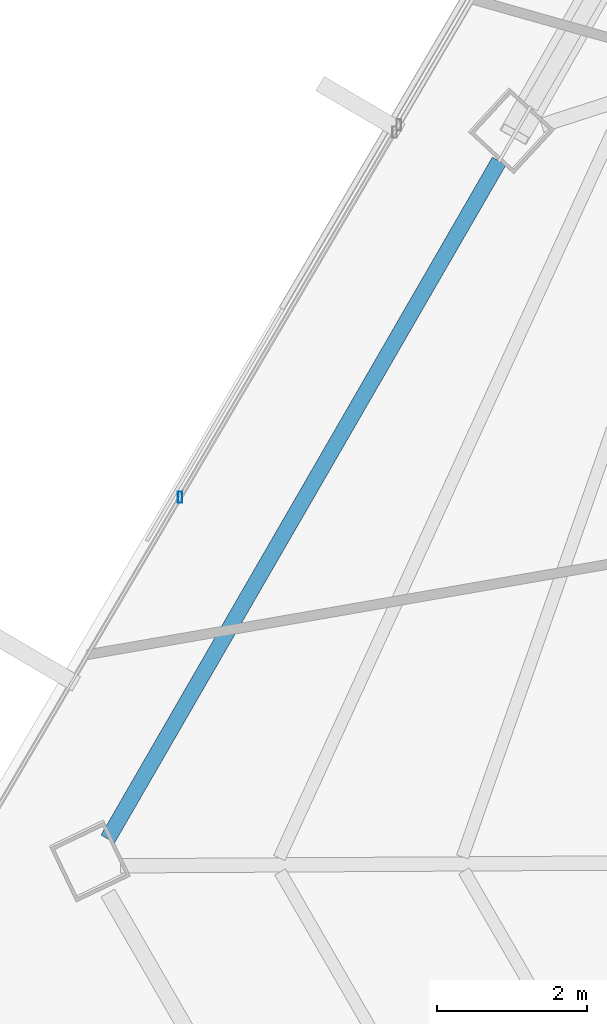
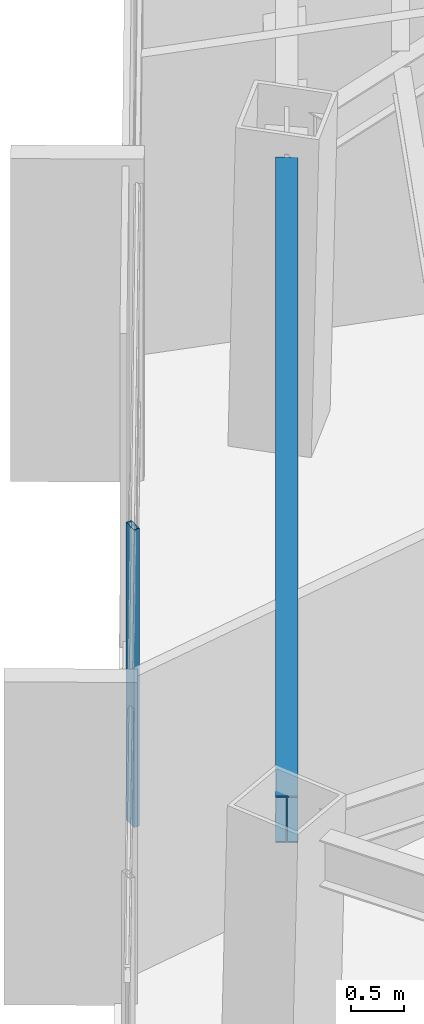
# One storey, part 10 of 42: 1 beam, 1 member, 1 element without a shape of its own.
"""IFC4 building model written with IfcOpenShell, lengths in metres."""

from ifc_helpers import new_model, si_unit, direction, frame, origin, origin_2d, place, context, subcontext, project, spatial, hollow_rectangle, i_section, extrude, source, transform, mapped, material, material_profile, profile_set, type_object, type_shapes, element, aggregate, save


model = new_model("IFC4")

# Units and contexts
model_context = context("Model", 3, precision=1e-05, world=origin(), true_north=direction((0.0, 1.0)))
body_context = subcontext(model_context, "Body", "Model", "MODEL_VIEW")
ifc_project = project(units=[si_unit("LENGTHUNIT", "METRE"), si_unit("AREAUNIT", "SQUARE_METRE"), si_unit("VOLUMEUNIT", "CUBIC_METRE"), si_unit("PLANEANGLEUNIT", "RADIAN"), si_unit("MASSUNIT", "GRAM", prefix="KILO")], contexts=[model_context])

# Site, building, storey
site_placement = place(None, origin())
site = spatial("IfcSite", under=ifc_project, at=site_placement, CompositionType="ELEMENT")
building_placement = place(site_placement, origin())
building = spatial("IfcBuilding", under=site, at=building_placement, Name="Caelisora Broadcast Tower", CompositionType="ELEMENT")
storey_placement = place(building_placement, frame((0.0, 0.0, 191.35009765625)))
storey = spatial("IfcBuildingStorey", under=building, at=storey_placement, Name="L50", CompositionType="ELEMENT", Elevation=191.35009765625)

# Beam
ifc_material_1 = material(Name="Steel Grade 350 (AS/NZS 3679.1)", Category="steel")
ifc_material_profile_1 = material_profile(ifc_material_1, i_section(OverallWidth=0.208984375, OverallDepth=0.532958984375, WebThickness=0.01025390625, FlangeThickness=0.015625, at=origin_2d()), Name="Steel Grade 350 (AS/NZS 3679.1)")
ifc_profile_set_1 = profile_set([ifc_material_profile_1], Name="Steel Grade 350 (AS/NZS 3679.1)")
beam_type = type_object("IfcBeamType", Name="PG05", PredefinedType="BEAM", material=ifc_profile_set_1)
shared_shape_1 = source(origin(), body_context, "Body", "SweptSolid", [
    extrude(i_section(OverallWidth=0.208984375, OverallDepth=0.532958984375, WebThickness=0.01025390625, FlangeThickness=0.015625, at=origin_2d()), origin(), (0.0, 0.0, 1.0), 10.426025390625),
])
type_shapes(beam_type, [shared_shape_1])
beam_placement = place(storey_placement, frame((21.221435546875, 26.70703125, 3.13330078125), z_axis=(-0.500015015735, -0.866016734272, 0.0), x_axis=(0.866016734272, -0.500015015735, 0.0)))
element("IfcBeam", 1, at=beam_placement, inside=storey, type_object=beam_type, Name="L50 beam PG05", PredefinedType="BEAM", context=body_context, shape_type="MappedRepresentation", body=[
    mapped(shared_shape_1, transform((0.0, 0.0, 0.0), scale=1.0)),
])

# Curtain wall, member
ifc_material_2 = material(Name="Unitised Aluminium and Low-E Glass Curtain Wall", Category="glass")
curtain_wall_type = type_object("IfcCurtainWallType", Name="CW-Z4", PredefinedType="NOTDEFINED", material=ifc_material_2)
curtain_wall_placement = place(storey_placement, origin())
curtain_wall = element("IfcCurtainWall", 2, at=curtain_wall_placement, inside=storey, type_object=curtain_wall_type, Name="L50 curtain wall CW-Z4", PredefinedType="NOTDEFINED")
ifc_material_3 = material(Name="Aluminium 6063-T6 Anodised Terracotta Bronze", Category="aluminium")
ifc_material_profile_2 = material_profile(ifc_material_3, hollow_rectangle(XDim=0.06005859375, YDim=0.14990234375, WallThickness=0.00341796875, at=origin_2d()), Name="Aluminium 6063-T6 Anodised Terracotta Bronze")
ifc_profile_set_2 = profile_set([ifc_material_profile_2], Name="Aluminium 6063-T6 Anodised Terracotta Bronze")
member_type = type_object("IfcMemberType", Name="CWM-03", PredefinedType="MULLION", material=ifc_profile_set_2)
shared_shape_2 = source(origin(), body_context, "Body", "SweptSolid", [
    extrude(hollow_rectangle(XDim=0.06005859375, YDim=0.14990234375, WallThickness=0.00341796875, at=origin_2d()), origin(), (0.0, 0.0, 1.0), 3.39990234375),
])
type_shapes(member_type, [shared_shape_2])
member_placement = place(storey_placement, frame((16.97265625, 22.227783203125, 0.0), z_axis=(0.0, 0.0, 1.0), x_axis=(1.0, 0.0, 0.0)))
member = element("IfcMember", 3, at=member_placement, type_object=member_type, Name="L50-CW-B09 mullion #2", PredefinedType="MULLION", context=body_context, shape_type="MappedRepresentation", body=[
    mapped(shared_shape_2, transform((0.0, 0.0, 0.0), scale=1.0)),
])
aggregate(curtain_wall, [member])

save(model, "model.ifc")
